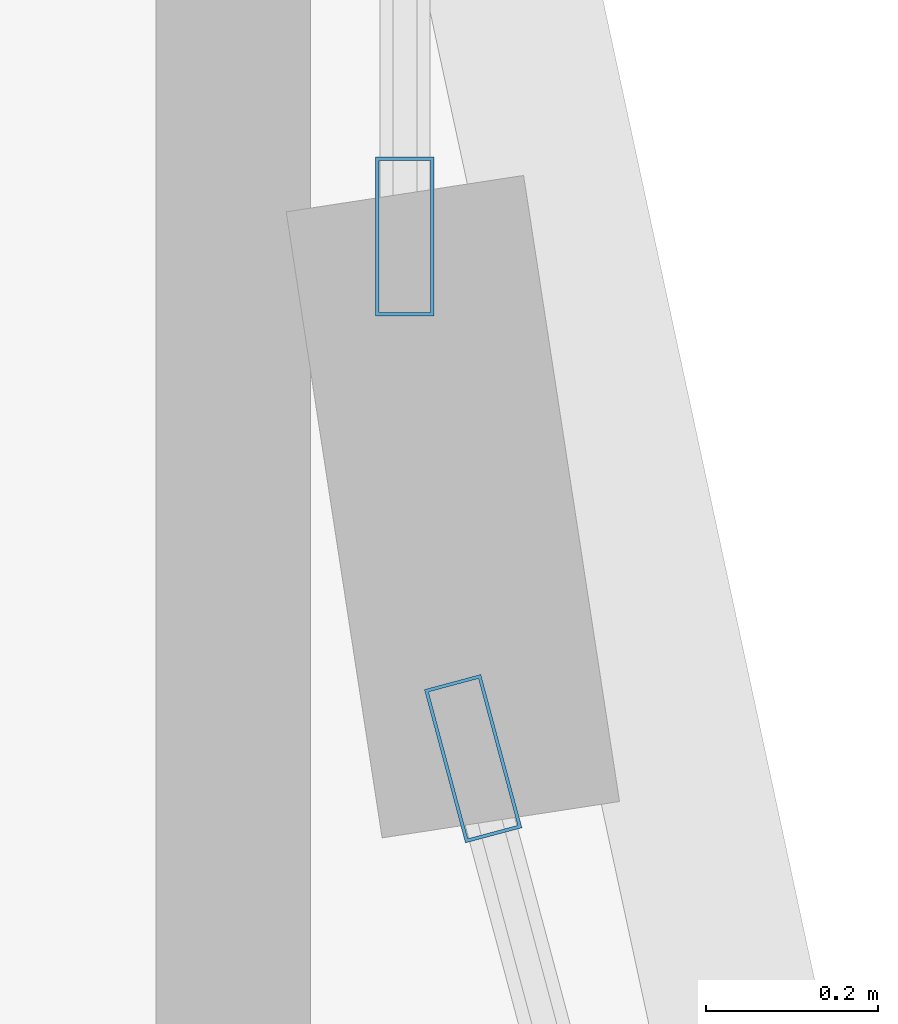
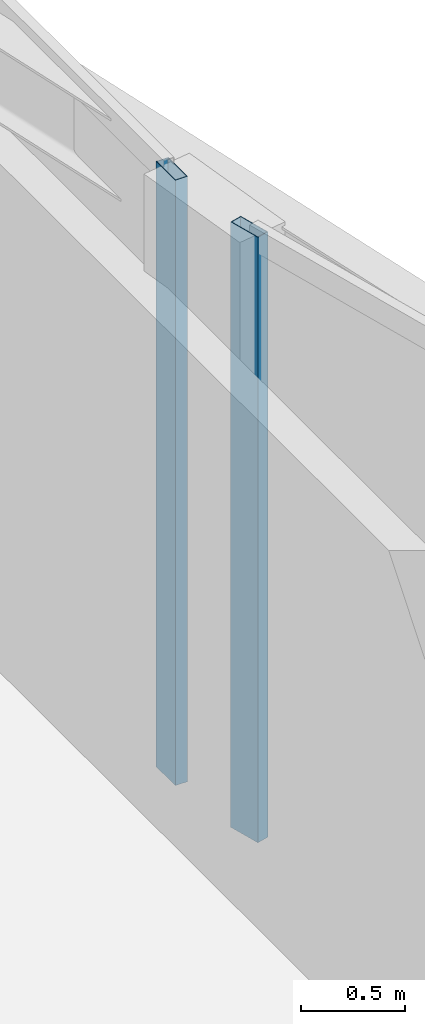
# One storey, part 18 of 28: 2 members, 2 elements without a shape of their own.
"""IFC4 building model written with IfcOpenShell, lengths in metres."""

from ifc_helpers import new_model, si_unit, direction, frame, origin, origin_2d, place, context, subcontext, project, spatial, hollow_rectangle, extrude, material, layer, layer_set, material_profile, profile_set, type_object, element, aggregate, save


model = new_model("IFC4")

# Units and contexts
model_context = context("Model", 3, precision=1e-05, world=origin(), true_north=direction((0.0, 1.0)))
body_context = subcontext(model_context, "Body", "Model", "MODEL_VIEW")
ifc_project = project(units=[si_unit("LENGTHUNIT", "METRE"), si_unit("AREAUNIT", "SQUARE_METRE"), si_unit("VOLUMEUNIT", "CUBIC_METRE"), si_unit("PLANEANGLEUNIT", "RADIAN"), si_unit("MASSUNIT", "GRAM", prefix="KILO")], contexts=[model_context])

# Site, building, storey
site_placement = place(None, origin())
site = spatial("IfcSite", under=ifc_project, at=site_placement, CompositionType="ELEMENT")
building_placement = place(site_placement, origin())
building = spatial("IfcBuilding", under=site, at=building_placement, Name="Calvorn Quay Hotel", CompositionType="ELEMENT")
storey_placement = place(building_placement, frame((0.0, 0.0, 243.800048828125)))
storey = spatial("IfcBuildingStorey", under=building, at=storey_placement, Name="L60", CompositionType="ELEMENT", Elevation=243.800048828125)

# Curtain wall, member
ifc_material_1 = material(Name="Champagne Bronze Anodised Aluminium and Low-E Glass", Category="aluminium")
ifc_layer = layer(ifc_material_1, 0.219970703125)
ifc_layer_set = layer_set([ifc_layer], Name="CW-SYS-Z3")
curtain_wall_type = type_object("IfcCurtainWallType", Name="CW-SYS-Z3", PredefinedType="NOTDEFINED", material=ifc_layer_set)
curtain_wall_1_placement = place(storey_placement, origin())
curtain_wall_1 = element("IfcCurtainWall", 1, at=curtain_wall_1_placement, inside=storey, type_object=curtain_wall_type, Name="Inner Court Curtain Wall L60-IC1", PredefinedType="NOTDEFINED")
ifc_material_2 = material(Name="Champagne Bronze Anodised Aluminium 6063-T6", Category="aluminium")
ifc_material_profile = material_profile(ifc_material_2, hollow_rectangle(XDim=0.068115234375, YDim=0.18505859375, WallThickness=0.00390625, at=origin_2d()), Name="ALU-M185x68x4")
ifc_profile_set = profile_set([ifc_material_profile], Name="Champagne Bronze Anodised Aluminium 6063-T6")
member_type = type_object("IfcMemberType", Name="CW-SYS-Z3-MUL", PredefinedType="MULLION", material=ifc_profile_set)
member_1_placement = place(storey_placement, frame((17.9296875, 38.10107421875, 0.0), z_axis=(0.0, 0.0, 1.0), x_axis=(-0.96593652056, -0.25877913024, 0.0)))
member_1 = element("IfcMember", 2, at=member_1_placement, type_object=member_type, Name="CW-L60-IC1 mullion 2", PredefinedType="MULLION", context=body_context, shape_type="SweptSolid", body=[
    extrude(hollow_rectangle(XDim=0.068115234375, YDim=0.18505859375, WallThickness=0.00390625, at=origin_2d()), origin(), (0.0, 0.0, 1.0), 3.56005859375),
])
aggregate(curtain_wall_1, [member_1])

curtain_wall_2_placement = place(storey_placement, origin())
curtain_wall_2 = element("IfcCurtainWall", 3, at=curtain_wall_2_placement, inside=storey, type_object=curtain_wall_type, Name="Inner Court Curtain Wall L60-IC2", PredefinedType="NOTDEFINED")
member_2_placement = place(storey_placement, frame((17.85009765625, 38.7099609375, 0.0), z_axis=(0.0, 0.0, 1.0), x_axis=(-1.0, 0.0, 0.0)))
member_2 = element("IfcMember", 4, at=member_2_placement, type_object=member_type, Name="CW-L60-IC2 mullion 1", PredefinedType="MULLION", context=body_context, shape_type="SweptSolid", body=[
    extrude(hollow_rectangle(XDim=0.068115234375, YDim=0.18505859375, WallThickness=0.00390625, at=origin_2d()), origin(), (0.0, 0.0, 1.0), 3.56005859375),
])
aggregate(curtain_wall_2, [member_2])

save(model, "model.ifc")
